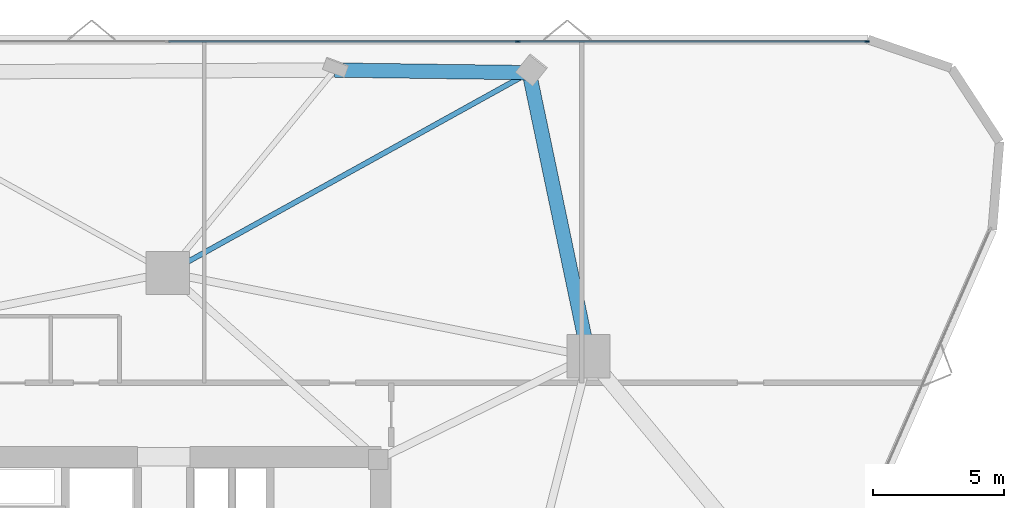
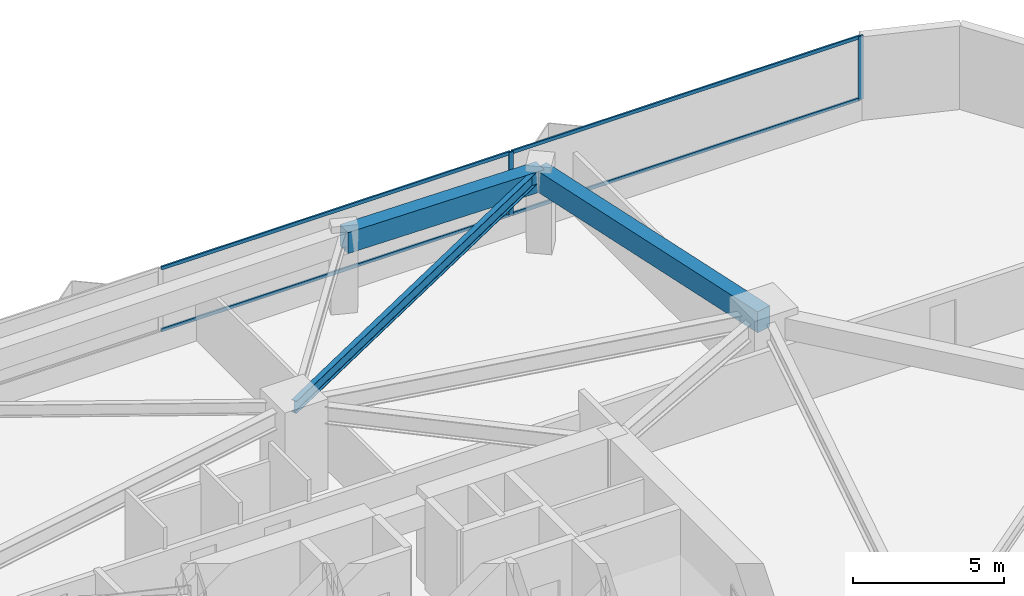
# One storey, part 12 of 19: 6 members, 3 beams, 1 element without a shape of its own.
"""IFC4 building model written with IfcOpenShell, lengths in metres."""

from ifc_helpers import new_model, si_unit, direction, frame, origin, origin_2d, place, context, subcontext, project, spatial, rectangle, i_section, extrude, material, layer, layer_set, material_profile, profile_set, type_object, element, aggregate, save


model = new_model("IFC4")

# Units and contexts
model_context = context("Model", 3, precision=1e-05, world=origin(), true_north=direction((0.0, 1.0)))
body_context = subcontext(model_context, "Body", "Model", "MODEL_VIEW")
ifc_project = project(units=[si_unit("LENGTHUNIT", "METRE"), si_unit("AREAUNIT", "SQUARE_METRE"), si_unit("VOLUMEUNIT", "CUBIC_METRE"), si_unit("PLANEANGLEUNIT", "RADIAN"), si_unit("MASSUNIT", "GRAM", prefix="KILO")], contexts=[model_context])

# Site, building, storey
site_placement = place(None, origin())
site = spatial("IfcSite", under=ifc_project, at=site_placement, CompositionType="ELEMENT")
building_placement = place(site_placement, origin())
building = spatial("IfcBuilding", under=site, at=building_placement, Name="Talyreon Biosciences Tower", CompositionType="ELEMENT")
storey_placement = place(building_placement, frame((0.0, 0.0, 82.300048828125)))
storey = spatial("IfcBuildingStorey", under=building, at=storey_placement, Name="L21", CompositionType="ELEMENT", Elevation=82.300048828125)

# Curtain wall, members
ifc_material_1 = material(Name="Thermally broken aluminium and low-E glazing", Category="aluminium")
ifc_layer = layer(ifc_material_1, 0.18994140625)
ifc_layer_set = layer_set([ifc_layer], Name="Thermally broken aluminium and low-E glazing")
curtain_wall_type = type_object("IfcCurtainWallType", Name="CurtainWall_Zone2Genomics", PredefinedType="NOTDEFINED", material=ifc_layer_set)
curtain_wall_placement = place(storey_placement, origin())
curtain_wall = element("IfcCurtainWall", 1, at=curtain_wall_placement, inside=storey, type_object=curtain_wall_type, Name="L21 Unitised Curtain Wall FCW-L21-04", PredefinedType="NOTDEFINED")
ifc_material_2 = material(Name="Anodised thermally broken aluminium", Category="aluminium")
ifc_material_profile_1 = material_profile(ifc_material_2, rectangle(XDim=0.06494140625, YDim=0.179931640625, at=origin_2d()), Name="ALUM MULLION 65x180")
ifc_profile_set_1 = profile_set([ifc_material_profile_1], Name="Anodised thermally broken aluminium")
member_type_1 = type_object("IfcMemberType", Name="CWMullion_65x180", PredefinedType="MULLION", material=ifc_profile_set_1)
member_1_placement = place(storey_placement, frame((79.392333984375, 90.64013671875, 0.81005859375), z_axis=(0.0, 0.0, 1.0), x_axis=(0.0, 1.0, 0.0)))
member_1 = element("IfcMember", 2, at=member_1_placement, type_object=member_type_1, Name="CW3 mullion 4", PredefinedType="MULLION", context=body_context, shape_type="SweptSolid", body=[
    extrude(rectangle(XDim=0.06494140625, YDim=0.179931640625, at=origin_2d()), origin(), (0.0, 0.0, 1.0), 2.56494140625),
])
member_2_placement = place(storey_placement, frame((92.752197265625, 90.64013671875, 0.81005859375), z_axis=(0.0, 0.0, 1.0), x_axis=(0.0, 1.0, 0.0)))
member_2 = element("IfcMember", 3, at=member_2_placement, type_object=member_type_1, Name="CW3 mullion 5", PredefinedType="MULLION", context=body_context, shape_type="SweptSolid", body=[
    extrude(rectangle(XDim=0.06494140625, YDim=0.179931640625, at=origin_2d()), origin(), (0.0, 0.0, 1.0), 2.56494140625),
])
ifc_material_profile_2 = material_profile(ifc_material_2, rectangle(XDim=0.06494140625, YDim=0.139892578125, at=origin_2d()), Name="ALUM TRANSOM 65x140")
ifc_profile_set_2 = profile_set([ifc_material_profile_2], Name="Anodised thermally broken aluminium")
member_type_2 = type_object("IfcMemberType", Name="CWTransom_65x140", PredefinedType="USERDEFINED", material=ifc_profile_set_2)
member_3_placement = place(storey_placement, frame((66.032470703125, 90.64013671875, 0.842529296875), z_axis=(1.0, 0.0, 0.0), x_axis=(0.0, 1.0, 0.0)))
member_3 = element("IfcMember", 4, at=member_3_placement, type_object=member_type_2, Name="CW3 transom 3.1", ObjectType="TRANSOM", PredefinedType="USERDEFINED", context=body_context, shape_type="SweptSolid", body=[
    extrude(rectangle(XDim=0.06494140625, YDim=0.139892578125, at=origin_2d()), origin(), (0.0, 0.0, 1.0), 13.327392578125),
])
member_4_placement = place(storey_placement, frame((66.032470703125, 90.64013671875, 3.342529296875), z_axis=(1.0, 0.0, 0.0), x_axis=(0.0, 1.0, 0.0)))
member_4 = element("IfcMember", 5, at=member_4_placement, type_object=member_type_2, Name="CW3 transom 3.2", ObjectType="TRANSOM", PredefinedType="USERDEFINED", context=body_context, shape_type="SweptSolid", body=[
    extrude(rectangle(XDim=0.06494140625, YDim=0.139892578125, at=origin_2d()), origin(), (0.0, 0.0, 1.0), 13.327392578125),
])
member_5_placement = place(storey_placement, frame((79.4248046875, 90.64013671875, 0.842529296875), z_axis=(1.0, 0.0, 0.0), x_axis=(0.0, 1.0, 0.0)))
member_5 = element("IfcMember", 6, at=member_5_placement, type_object=member_type_2, Name="CW3 transom 4.1", ObjectType="TRANSOM", PredefinedType="USERDEFINED", context=body_context, shape_type="SweptSolid", body=[
    extrude(rectangle(XDim=0.06494140625, YDim=0.139892578125, at=origin_2d()), origin(), (0.0, 0.0, 1.0), 13.294677734375),
])
member_6_placement = place(storey_placement, frame((79.4248046875, 90.64013671875, 3.342529296875), z_axis=(1.0, 0.0, 0.0), x_axis=(0.0, 1.0, 0.0)))
member_6 = element("IfcMember", 7, at=member_6_placement, type_object=member_type_2, Name="CW3 transom 4.2", ObjectType="TRANSOM", PredefinedType="USERDEFINED", context=body_context, shape_type="SweptSolid", body=[
    extrude(rectangle(XDim=0.06494140625, YDim=0.139892578125, at=origin_2d()), origin(), (0.0, 0.0, 1.0), 13.294677734375),
])
aggregate(curtain_wall, [member_1, member_2, member_3, member_4, member_5, member_6])

# Beams
ifc_material_3 = material(Name="Precast concrete C45/55", Category="concrete")
ifc_material_profile_3 = material_profile(ifc_material_3, rectangle(XDim=0.550048828125, YDim=0.85009765625, at=origin_2d()), Name="RCB 550x850")
ifc_profile_set_3 = profile_set([ifc_material_profile_3], Name="Precast concrete C45/55")
beam_type_1 = type_object("IfcBeamType", Name="ExpressedSpandrel_550x850", PredefinedType="SPANDREL", material=ifc_profile_set_3)
beam_1_placement = place(storey_placement, frame((82.102294921875, 78.5986328125, 2.949951171875), z_axis=(-0.205006929414, 0.978760521727, 0.0), x_axis=(-0.978760521727, -0.205006929414, 0.0)))
element("IfcBeam", 8, at=beam_1_placement, inside=storey, type_object=beam_type_1, Name="L21 Expressed Horizontal Concrete Spandrel 05", PredefinedType="SPANDREL", context=body_context, shape_type="SweptSolid", body=[
    extrude(rectangle(XDim=0.550048828125, YDim=0.85009765625, at=origin_2d()), origin(), (0.0, 0.0, 1.0), 11.084716796875),
])
beam_2_placement = place(storey_placement, frame((79.829833984375, 89.447998046875, 2.949951171875), z_axis=(-0.999909672033, 0.01344052736, 0.0), x_axis=(-0.01344052736, -0.999909672033, 0.0)))
element("IfcBeam", 9, at=beam_2_placement, inside=storey, type_object=beam_type_1, Name="L21 Expressed Horizontal Concrete Spandrel 06", PredefinedType="SPANDREL", context=body_context, shape_type="SweptSolid", body=[
    extrude(rectangle(XDim=0.550048828125, YDim=0.85009765625, at=origin_2d()), origin(), (0.0, 0.0, 1.0), 7.447509765625),
])
ifc_material_4 = material(Name="Steel SM355", Category="steel")
ifc_material_profile_4 = material_profile(ifc_material_4, i_section(OverallWidth=0.199951171875, OverallDepth=0.5, WebThickness=0.01025390625, FlangeThickness=0.01611328125, FilletRadius=0.02099609375, at=origin_2d()), Name="IPE500")
ifc_profile_set_4 = profile_set([ifc_material_profile_4], Name="Steel SM355")
beam_type_2 = type_object("IfcBeamType", Name="SteelJoist_IPE500", PredefinedType="JOIST", material=ifc_profile_set_4)
beam_3_placement = place(storey_placement, frame((66.0, 81.788818359375, 3.125), z_axis=(0.874802633948, 0.484479464618, 0.0), x_axis=(-0.484479464618, 0.874802633948, 0.0)))
element("IfcBeam", 10, at=beam_3_placement, inside=storey, type_object=beam_type_2, Name="L21 Radial Composite Floor Joist PC-N1", PredefinedType="JOIST", context=body_context, shape_type="SweptSolid", body=[
    extrude(i_section(OverallWidth=0.199951171875, OverallDepth=0.5, WebThickness=0.01025390625, FlangeThickness=0.01611328125, FilletRadius=0.02099609375, at=origin_2d()), origin(), (0.0, 0.0, 1.0), 15.80908203125),
])

save(model, "model.ifc")
